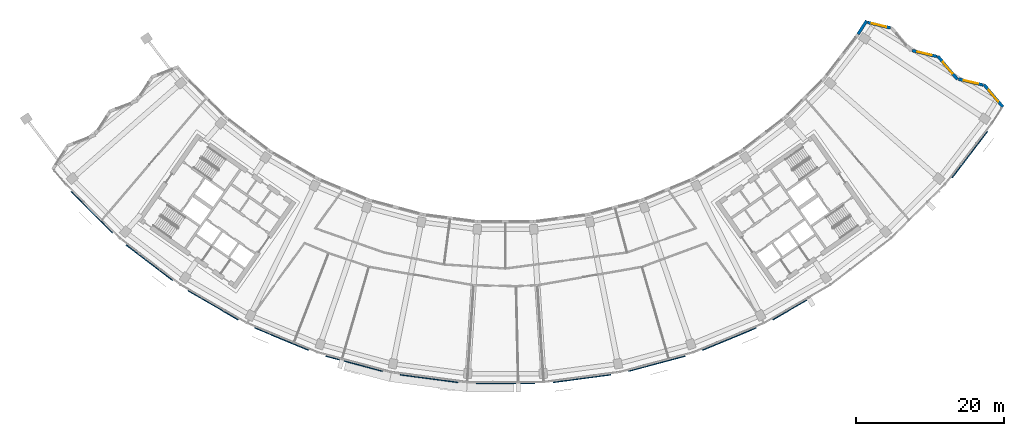
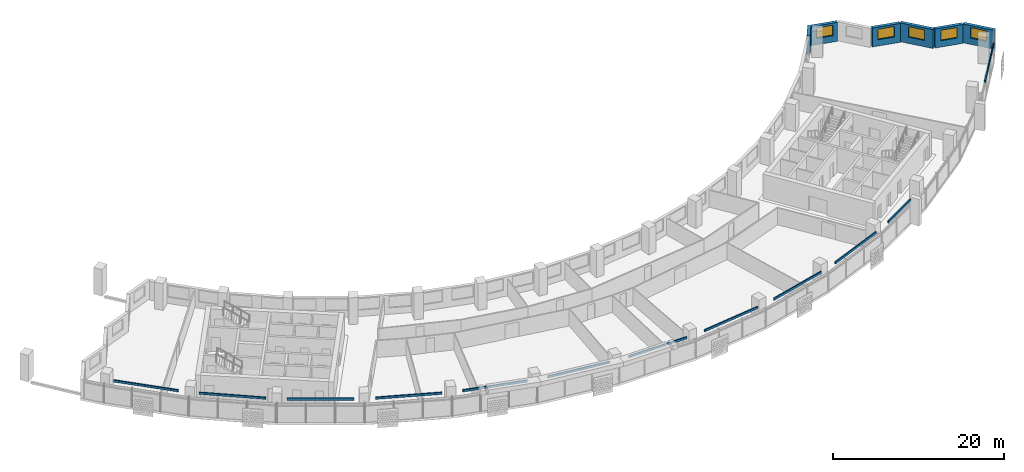
# One storey, part 8 of 27: 12 discrete accessories, 6 walls, 5 windows, 5 openings.
"""IFC4 building model written with IfcOpenShell, lengths in metres."""

from ifc_helpers import new_model, si_unit, direction, frame, frame_2d, origin, origin_2d, place, context, subcontext, project, spatial, rectangle, extrude, material, layer, layer_set, type_object, element, fill, save


model = new_model("IFC4")

# Units and contexts
model_context = context("Model", 3, precision=1e-05, world=origin(), true_north=direction((0.0, 1.0)))
body_context = subcontext(model_context, "Body", "Model", "MODEL_VIEW")
ifc_project = project(units=[si_unit("LENGTHUNIT", "METRE"), si_unit("AREAUNIT", "SQUARE_METRE"), si_unit("VOLUMEUNIT", "CUBIC_METRE"), si_unit("PLANEANGLEUNIT", "RADIAN"), si_unit("MASSUNIT", "GRAM", prefix="KILO")], contexts=[model_context])

# Site, building, storey
site_placement = place(None, origin())
site = spatial("IfcSite", under=ifc_project, at=site_placement, CompositionType="ELEMENT")
building_placement = place(site_placement, origin())
building = spatial("IfcBuilding", under=site, at=building_placement, Name="Qamariyya Broadcast Tower", CompositionType="ELEMENT")
storey_placement = place(building_placement, frame((0.0, 0.0, 175.89990234375)))
storey = spatial("IfcBuildingStorey", under=building, at=storey_placement, Name="L41", CompositionType="ELEMENT", Elevation=175.89990234375)

# Wall, opening, window
ifc_material_1 = material(Name="Terracotta", Category="masonry")
ifc_layer = layer(ifc_material_1, 0.39990234375)
ifc_layer_set = layer_set([ifc_layer], Name="Terracotta clad wall 400")
wall_type = type_object("IfcWallType", Name="Terracotta clad wall 400", PredefinedType="SOLIDWALL", material=ifc_layer_set)
wall_1_placement = place(storey_placement, frame((67.086669921875, -41.600830078125, 0.0), z_axis=(0.0, 0.0, 1.0), x_axis=(-0.64623241539, 0.763140658922, 0.0)))
wall_1 = element("IfcWall", 1, at=wall_1_placement, inside=storey, type_object=wall_type, Name="e-wl-L41-capE0", PredefinedType="SOLIDWALL", context=body_context, shape_type="SweptSolid", body=[
    extrude(rectangle(XDim=3.921875, YDim=0.39990234375, at=frame_2d((1.9609375, 0.0))), origin(), (0.0, 0.0, 1.0), 2.7001953125),
])
opening_1_placement = place(wall_1_placement, frame((0.9609375, 0.0, 0.89990234375)))
opening_1 = element("IfcOpeningElement", 2, at=opening_1_placement, cuts=wall_1, Name="Opening W4", PredefinedType="OPENING", context=body_context, shape_type="SweptSolid", body=[
    extrude(rectangle(XDim=2.0, YDim=1.5, at=frame_2d((1.0, 0.75))), frame((0.0, 0.2099609375, 0.0), z_axis=(0.0, -1.0, 0.0), x_axis=(1.0, 0.0, 0.0)), (0.0, 0.0, 1.0), 0.419921875),
])
ifc_material_2 = material(Name="Clear low-e double glazed unit in aluminium frame", Category="aluminium")
window_type = type_object("IfcWindowType", Name="Horn bay window 2000 x 1500", PartitioningType="SINGLE_PANEL", PredefinedType="WINDOW", material=ifc_material_2)
window_1_placement = place(opening_1_placement, origin())
window_1 = element("IfcWindow", 3, at=window_1_placement, inside=storey, type_object=window_type, Name="e-w-L41-capE0", OverallHeight=1.5, OverallWidth=2.0, PartitioningType="SINGLE_PANEL", PredefinedType="WINDOW", context=body_context, shape_type="SweptSolid", body=[
    extrude(rectangle(XDim=2.0, YDim=1.5, at=frame_2d((1.0, 0.75))), frame((0.0, 0.030029296875, 0.0), z_axis=(0.0, -1.0, 0.0), x_axis=(1.0, 0.0, 0.0)), (0.0, 0.0, 1.0), 0.06005859375),
])
fill(opening_1, window_1)

wall_2_placement = place(storey_placement, frame((64.421142578125, -38.6494140625, 0.0), z_axis=(0.0, 0.0, 1.0), x_axis=(-0.972367857341, 0.233453956939, 0.0)))
wall_2 = element("IfcWall", 4, at=wall_2_placement, inside=storey, type_object=wall_type, Name="e-wl-L41-capE1", PredefinedType="SOLIDWALL", context=body_context, shape_type="SweptSolid", body=[
    extrude(rectangle(XDim=3.419677734375, YDim=0.39990234375, at=frame_2d((1.7099609375, 0.0))), origin(), (0.0, 0.0, 1.0), 2.7001953125),
])
opening_2_placement = place(wall_2_placement, frame((0.709716796875, 0.0, 0.89990234375)))
opening_2 = element("IfcOpeningElement", 5, at=opening_2_placement, cuts=wall_2, Name="Opening W4", PredefinedType="OPENING", context=body_context, shape_type="SweptSolid", body=[
    extrude(rectangle(XDim=2.0, YDim=1.5, at=frame_2d((1.0, 0.75))), frame((0.0, 0.2099609375, 0.0), z_axis=(0.0, -1.0, 0.0), x_axis=(1.0, 0.0, 0.0)), (0.0, 0.0, 1.0), 0.419921875),
])
window_2_placement = place(opening_2_placement, origin())
window_2 = element("IfcWindow", 6, at=window_2_placement, inside=storey, type_object=window_type, Name="e-w-L41-capE1", OverallHeight=1.5, OverallWidth=2.0, PartitioningType="SINGLE_PANEL", PredefinedType="WINDOW", context=body_context, shape_type="SweptSolid", body=[
    extrude(rectangle(XDim=2.0, YDim=1.5, at=frame_2d((1.0, 0.75))), frame((0.0, 0.030029296875, 0.0), z_axis=(0.0, -1.0, 0.0), x_axis=(1.0, 0.0, 0.0)), (0.0, 0.0, 1.0), 0.06005859375),
])
fill(opening_2, window_2)

wall_3_placement = place(storey_placement, frame((60.96484375, -37.892578125, 0.0), z_axis=(0.0, 0.0, 1.0), x_axis=(-0.646301824063, 0.763081877791, 0.0)))
wall_3 = element("IfcWall", 7, at=wall_3_placement, inside=storey, type_object=wall_type, Name="e-wl-L41-capE2", PredefinedType="SOLIDWALL", context=body_context, shape_type="SweptSolid", body=[
    extrude(rectangle(XDim=4.108154296875, YDim=0.39990234375, at=frame_2d((2.05419921875, 0.0))), origin(), (0.0, 0.0, 1.0), 2.7001953125),
])
opening_3_placement = place(wall_3_placement, frame((1.053955078125, 0.0, 0.89990234375)))
opening_3 = element("IfcOpeningElement", 8, at=opening_3_placement, cuts=wall_3, Name="Opening W4", PredefinedType="OPENING", context=body_context, shape_type="SweptSolid", body=[
    extrude(rectangle(XDim=2.0, YDim=1.5, at=frame_2d((1.0, 0.75))), frame((0.0, 0.2099609375, 0.0), z_axis=(0.0, -1.0, 0.0), x_axis=(1.0, 0.0, 0.0)), (0.0, 0.0, 1.0), 0.419921875),
])
window_3_placement = place(opening_3_placement, origin())
window_3 = element("IfcWindow", 9, at=window_3_placement, inside=storey, type_object=window_type, Name="e-w-L41-capE2", OverallHeight=1.5, OverallWidth=2.0, PartitioningType="SINGLE_PANEL", PredefinedType="WINDOW", context=body_context, shape_type="SweptSolid", body=[
    extrude(rectangle(XDim=2.0, YDim=1.5, at=frame_2d((1.0, 0.75))), frame((0.0, 0.030029296875, 0.0), z_axis=(0.0, -1.0, 0.0), x_axis=(1.0, 0.0, 0.0)), (0.0, 0.0, 1.0), 0.06005859375),
])
fill(opening_3, window_3)

wall_4_placement = place(storey_placement, frame((58.1787109375, -34.79931640625, 0.0), z_axis=(0.0, 0.0, 1.0), x_axis=(-0.972384708945, 0.233383756524, 0.0)))
wall_4 = element("IfcWall", 10, at=wall_4_placement, inside=storey, type_object=wall_type, Name="e-wl-L41-capE3", PredefinedType="SOLIDWALL", context=body_context, shape_type="SweptSolid", body=[
    extrude(rectangle(XDim=3.418701171875, YDim=0.39990234375, at=frame_2d((1.70947265625, 0.0))), origin(), (0.0, 0.0, 1.0), 2.7001953125),
])
opening_4_placement = place(wall_4_placement, frame((0.709228515625, 0.0, 0.89990234375)))
opening_4 = element("IfcOpeningElement", 11, at=opening_4_placement, cuts=wall_4, Name="Opening W4", PredefinedType="OPENING", context=body_context, shape_type="SweptSolid", body=[
    extrude(rectangle(XDim=2.0, YDim=1.5, at=frame_2d((1.0, 0.75))), frame((0.0, 0.2099609375, 0.0), z_axis=(0.0, -1.0, 0.0), x_axis=(1.0, 0.0, 0.0)), (0.0, 0.0, 1.0), 0.419921875),
])
window_4_placement = place(opening_4_placement, origin())
window_4 = element("IfcWindow", 12, at=window_4_placement, inside=storey, type_object=window_type, Name="e-w-L41-capE3", OverallHeight=1.5, OverallWidth=2.0, PartitioningType="SINGLE_PANEL", PredefinedType="WINDOW", context=body_context, shape_type="SweptSolid", body=[
    extrude(rectangle(XDim=2.0, YDim=1.5, at=frame_2d((1.0, 0.75))), frame((0.0, 0.030029296875, 0.0), z_axis=(0.0, -1.0, 0.0), x_axis=(1.0, 0.0, 0.0)), (0.0, 0.0, 1.0), 0.06005859375),
])
fill(opening_4, window_4)

wall_5_placement = place(storey_placement, frame((51.935791015625, -30.948974609375, 0.0), z_axis=(0.0, 0.0, 1.0), x_axis=(-0.972411041603, 0.233274015202, 0.0)))
wall_5 = element("IfcWall", 13, at=wall_5_placement, inside=storey, type_object=wall_type, Name="e-wl-L41-capE5", PredefinedType="SOLIDWALL", context=body_context, shape_type="SweptSolid", body=[
    extrude(rectangle(XDim=3.17333984375, YDim=0.39990234375, at=frame_2d((1.586669921875, 0.0))), origin(), (0.0, 0.0, 1.0), 2.7001953125),
])
opening_5_placement = place(wall_5_placement, frame((0.586669921875, 0.0, 0.89990234375)))
opening_5 = element("IfcOpeningElement", 14, at=opening_5_placement, cuts=wall_5, Name="Opening W4", PredefinedType="OPENING", context=body_context, shape_type="SweptSolid", body=[
    extrude(rectangle(XDim=2.0, YDim=1.5, at=frame_2d((1.0, 0.75))), frame((0.0, 0.2099609375, 0.0), z_axis=(0.0, -1.0, 0.0), x_axis=(1.0, 0.0, 0.0)), (0.0, 0.0, 1.0), 0.419921875),
])
window_5_placement = place(opening_5_placement, origin())
window_5 = element("IfcWindow", 15, at=window_5_placement, inside=storey, type_object=window_type, Name="e-w-L41-capE5", OverallHeight=1.5, OverallWidth=2.0, PartitioningType="SINGLE_PANEL", PredefinedType="WINDOW", context=body_context, shape_type="SweptSolid", body=[
    extrude(rectangle(XDim=2.0, YDim=1.5, at=frame_2d((1.0, 0.75))), frame((0.0, 0.030029296875, 0.0), z_axis=(0.0, -1.0, 0.0), x_axis=(1.0, 0.0, 0.0)), (0.0, 0.0, 1.0), 0.06005859375),
])
fill(opening_5, window_5)

# Wall
wall_6_placement = place(storey_placement, frame((48.70849609375, -29.990234375, 0.0), z_axis=(0.0, 0.0, 1.0), x_axis=(-0.540383639925, -0.841418755259, 0.0)))
element("IfcWall", 16, at=wall_6_placement, inside=storey, type_object=wall_type, Name="e-wl-L41-in150", PredefinedType="SOLIDWALL", context=body_context, shape_type="SweptSolid", body=[
    extrude(rectangle(XDim=2.14501953125, YDim=0.39990234375, at=frame_2d((1.072509765625, 0.0))), origin(), (0.0, 0.0, 1.0), 2.7001953125),
])

# Discrete accessories
ifc_material_3 = material(Name="Stainless steel 316", Category="steel")
discrete_accessory_type = type_object("IfcDiscreteAccessoryType", Name="Slab edge fixing angle, stainless steel", PredefinedType="BRACKET", material=ifc_material_3)
for number, where, z_axis, x_axis, name in (
    (17, (-55.794921875, -55.794921875, 3.30029296875), (0.0, 0.0, 1.0), (0.707106781187, -0.707106781187, 0.0), "e-br-L41-01-0"),
    (18, (-48.034912109375, -62.600341796875, 3.30029296875), (0.0, 0.0, 1.0), (0.793353340291, -0.608761429009, 0.0), "e-br-L41-02-0"),
    (19, (-39.452880859375, -68.33447265625, 3.30029296875), (0.0, 0.0, 1.0), (0.866025403784, -0.5, 0.0), "e-br-L41-03-0"),
    (20, (-30.196044921875, -72.8994140625, 3.30029296875), (0.0, 0.0, 1.0), (0.923879532511, -0.382683432365, 0.0), "e-br-L41-04-0"),
    (21, (-20.42236328125, -76.21728515625, 3.30029296875), (0.0, 0.0, 1.0), (0.965925826289, -0.258819045103, 0.0), "e-br-L41-05-0"),
    (22, (-10.29931640625, -78.230712890625, 3.30029296875), (0.0, 0.0, 1.0), (0.991444861374, -0.13052619222, 0.0), "e-br-L41-06-0"),
    (23, (0.0, -78.90576171875, 3.30029296875), (0.0, 0.0, 1.0), (1.0, 0.0, 0.0), "e-br-L41-07-0"),
    (24, (10.29931640625, -78.230712890625, 3.30029296875), (0.0, 0.0, 1.0), (0.991444861374, 0.13052619222, 0.0), "e-br-L41-08-0"),
    (25, (20.42236328125, -76.21728515625, 3.30029296875), (0.0, 0.0, 1.0), (0.965925826289, 0.258819045103, 0.0), "e-br-L41-09-0"),
    (26, (30.196044921875, -72.8994140625, 3.30029296875), (0.0, 0.0, 1.0), (0.923879532511, 0.382683432365, 0.0), "e-br-L41-10-0"),
):
    element("IfcDiscreteAccessory", number, at=place(storey_placement, frame(where, z_axis=z_axis, x_axis=x_axis)), inside=storey, type_object=discrete_accessory_type, Name=name, PredefinedType="BRACKET", context=body_context, shape_type="SweptSolid", body=[
        extrude(rectangle(XDim=7.850341796875, YDim=0.14990234375, at=origin_2d()), origin(), (0.0, 0.0, 1.0), 0.300048828125),
    ])
discrete_accessory_1_placement = place(storey_placement, frame((38.334228515625, -68.980224609375, 3.30029296875), z_axis=(0.0, 0.0, 1.0), x_axis=(0.866025403784, 0.5, 0.0)))
element("IfcDiscreteAccessory", 27, at=discrete_accessory_1_placement, inside=storey, type_object=discrete_accessory_type, Name="e-br-L41-11-0", PredefinedType="BRACKET", context=body_context, shape_type="SweptSolid", body=[
    extrude(rectangle(XDim=5.266845703125, YDim=0.14990234375, at=origin_2d()), origin(), (0.0, 0.0, 1.0), 0.300048828125),
])
discrete_accessory_2_placement = place(storey_placement, frame((62.600341796875, -48.034912109375, 3.30029296875), z_axis=(0.0, 0.0, 1.0), x_axis=(0.608761429009, 0.793353340291, 0.0)))
element("IfcDiscreteAccessory", 28, at=discrete_accessory_2_placement, inside=storey, type_object=discrete_accessory_type, Name="e-br-L41-14-0", PredefinedType="BRACKET", context=body_context, shape_type="SweptSolid", body=[
    extrude(rectangle(XDim=7.850341796875, YDim=0.14990234375, at=origin_2d()), origin(), (0.0, 0.0, 1.0), 0.300048828125),
])

save(model, "model.ifc")
